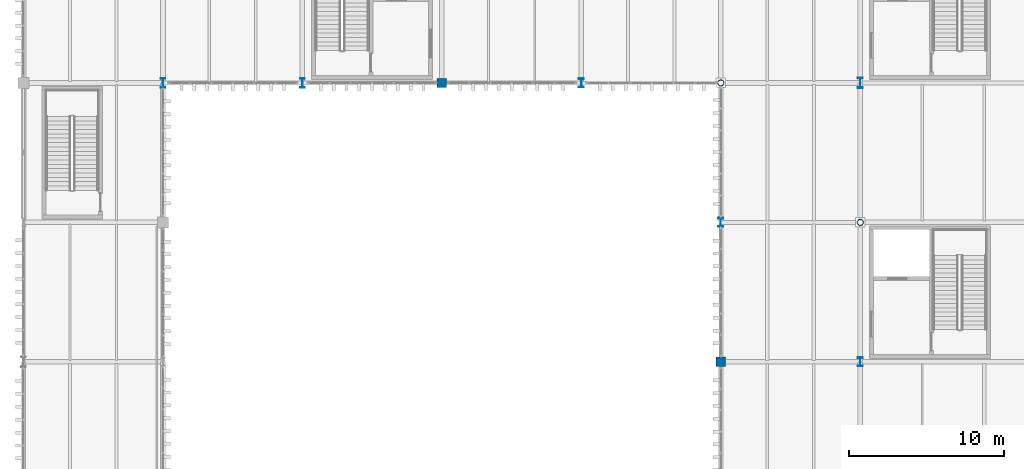
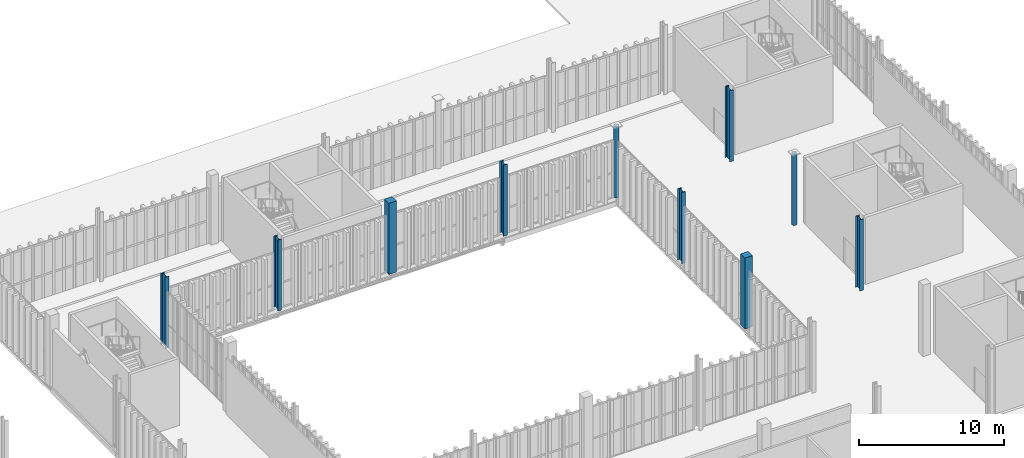
# One storey, part 19 of 237: 10 columns.
"""IFC4 building model written with IfcOpenShell, lengths in metres."""

from ifc_helpers import new_model, si_unit, direction, frame, origin, origin_2d, place, context, subcontext, project, spatial, rectangle, hollow_circle, i_section, extrude, material, material_profile, profile_set, type_object, element, save


model = new_model("IFC4")

# Units and contexts
model_context = context("Model", 3, precision=1e-05, world=origin(), true_north=direction((0.0, 1.0)))
body_context = subcontext(model_context, "Body", "Model", "MODEL_VIEW")
ifc_project = project(units=[si_unit("LENGTHUNIT", "METRE"), si_unit("AREAUNIT", "SQUARE_METRE"), si_unit("VOLUMEUNIT", "CUBIC_METRE"), si_unit("PLANEANGLEUNIT", "RADIAN"), si_unit("MASSUNIT", "GRAM", prefix="KILO")], contexts=[model_context])

# Site, building, storey
site_placement = place(None, origin())
site = spatial("IfcSite", under=ifc_project, at=site_placement, CompositionType="ELEMENT")
building_placement = place(site_placement, origin())
building = spatial("IfcBuilding", under=site, at=building_placement, Name="Barlavento Convention Centre", CompositionType="ELEMENT")
storey_placement = place(building_placement, frame((0.0, 0.0, 12.0)))
storey = spatial("IfcBuildingStorey", under=building, at=storey_placement, Name="L02", CompositionType="ELEMENT", Elevation=12.0)

# Columns
ifc_material_1 = material(Name="Steel S355", Category="steel")
ifc_material_profile_1 = material_profile(ifc_material_1, hollow_circle(Radius=0.203125, WallThickness=0.01611328125, at=origin_2d()), Name="CHS 406.4x16.0")
ifc_profile_set_1 = profile_set([ifc_material_profile_1], Name="Steel S355")
column_type_1 = type_object("IfcColumnType", Name="STR-COL-CHS406", PredefinedType="COLUMN", material=ifc_profile_set_1)
for number, where, z_axis, x_axis, name in (
    (1, (171.0, 90.0, 0.0), (0.0, 0.0, 1.0), (1.0, 0.0, 0.0), "L02 column SC14"),
    (2, (180.0, 81.0, 0.0), (0.0, 0.0, 1.0), (1.0, 0.0, 0.0), "L02 column SC14"),
):
    element("IfcColumn", number, at=place(storey_placement, frame(where, z_axis=z_axis, x_axis=x_axis)), inside=storey, type_object=column_type_1, Name=name, PredefinedType="COLUMN", context=body_context, shape_type="SweptSolid", body=[
        extrude(hollow_circle(Radius=0.203125, WallThickness=0.01611328125, at=origin_2d()), origin(), (0.0, 0.0, 1.0), 6.0),
    ])
ifc_material_profile_2 = material_profile(ifc_material_1, i_section(OverallWidth=0.300048828125, OverallDepth=0.60009765625, WebThickness=0.015380859375, FlangeThickness=0.030029296875, FilletRadius=0.027099609375, at=origin_2d()), Name="HEB 600")
ifc_profile_set_2 = profile_set([ifc_material_profile_2], Name="Steel S355")
column_type_2 = type_object("IfcColumnType", Name="STR-COL-HEB600", PredefinedType="COLUMN", material=ifc_profile_set_2)
column_1_placement = place(storey_placement, frame((144.0, 90.0, 0.0), z_axis=(0.0, 0.0, 1.0), x_axis=(1.0, 0.0, 0.0)))
element("IfcColumn", 3, at=column_1_placement, inside=storey, type_object=column_type_2, Name="L02 column SC08", PredefinedType="COLUMN", context=body_context, shape_type="SweptSolid", body=[
    extrude(i_section(OverallWidth=0.300048828125, OverallDepth=0.60009765625, WebThickness=0.015380859375, FlangeThickness=0.030029296875, FilletRadius=0.027099609375, at=origin_2d()), origin(), (0.0, 0.0, 1.0), 6.0),
])
ifc_material_profile_3 = material_profile(ifc_material_1, i_section(OverallWidth=0.305908203125, OverallDepth=0.572021484375, WebThickness=0.02099609375, FlangeThickness=0.0400390625, FilletRadius=0.027099609375, at=origin_2d()), Name="HEM 550")
ifc_profile_set_3 = profile_set([ifc_material_profile_3], Name="Steel S355")
column_type_3 = type_object("IfcColumnType", Name="STR-COL-HEM550", PredefinedType="COLUMN", material=ifc_profile_set_3)
for number, where, z_axis, x_axis, name in (
    (4, (162.0, 90.0, 0.0), (0.0, 0.0, 1.0), (1.0, 0.0, 0.0), "L02 column SC06"),
    (5, (171.0, 81.0, 0.0), (0.0, 0.0, 1.0), (1.0, 0.0, 0.0), "L02 column SC06"),
    (6, (180.0, 72.0, 0.0), (0.0, 0.0, 1.0), (1.0, 0.0, 0.0), "L02 column SC06"),
):
    element("IfcColumn", number, at=place(storey_placement, frame(where, z_axis=z_axis, x_axis=x_axis)), inside=storey, type_object=column_type_3, Name=name, PredefinedType="COLUMN", context=body_context, shape_type="SweptSolid", body=[
        extrude(i_section(OverallWidth=0.305908203125, OverallDepth=0.572021484375, WebThickness=0.02099609375, FlangeThickness=0.0400390625, FilletRadius=0.027099609375, at=origin_2d()), origin(), (0.0, 0.0, 1.0), 6.0),
    ])
ifc_material_profile_4 = material_profile(ifc_material_1, i_section(OverallWidth=0.304931640625, OverallDepth=0.6201171875, WebThickness=0.02099609375, FlangeThickness=0.0400390625, FilletRadius=0.027099609375, at=origin_2d()), Name="HEM 600")
ifc_profile_set_4 = profile_set([ifc_material_profile_4], Name="Steel S355")
column_type_4 = type_object("IfcColumnType", Name="STR-COL-HEM600", PredefinedType="COLUMN", material=ifc_profile_set_4)
column_2_placement = place(storey_placement, frame((135.0, 90.0, 0.0), z_axis=(0.0, 0.0, 1.0), x_axis=(1.0, 0.0, 0.0)))
element("IfcColumn", 7, at=column_2_placement, inside=storey, type_object=column_type_4, Name="L02 column SC05", PredefinedType="COLUMN", context=body_context, shape_type="SweptSolid", body=[
    extrude(i_section(OverallWidth=0.304931640625, OverallDepth=0.6201171875, WebThickness=0.02099609375, FlangeThickness=0.0400390625, FilletRadius=0.027099609375, at=origin_2d()), origin(), (0.0, 0.0, 1.0), 6.0),
])
ifc_material_2 = material(Name="Steel S460", Category="steel")
ifc_material_profile_5 = material_profile(ifc_material_2, i_section(OverallWidth=0.304931640625, OverallDepth=0.66796875, WebThickness=0.02099609375, FlangeThickness=0.0400390625, FilletRadius=0.027099609375, at=origin_2d()), Name="HEM 650")
ifc_profile_set_5 = profile_set([ifc_material_profile_5], Name="Steel S460")
column_type_5 = type_object("IfcColumnType", Name="STR-COL-HEM650", PredefinedType="COLUMN", material=ifc_profile_set_5)
column_3_placement = place(storey_placement, frame((180.0, 90.0, 0.0), z_axis=(0.0, 0.0, 1.0), x_axis=(1.0, 0.0, 0.0)))
element("IfcColumn", 8, at=column_3_placement, inside=storey, type_object=column_type_5, Name="L02 column SC04", PredefinedType="COLUMN", context=body_context, shape_type="SweptSolid", body=[
    extrude(i_section(OverallWidth=0.304931640625, OverallDepth=0.66796875, WebThickness=0.02099609375, FlangeThickness=0.0400390625, FilletRadius=0.027099609375, at=origin_2d()), origin(), (0.0, 0.0, 1.0), 6.0),
])
ifc_material_3 = material(Name="Concrete C40/50", Category="concrete")
ifc_material_profile_6 = material_profile(ifc_material_3, rectangle(XDim=0.60009765625, YDim=0.60009765625, at=origin_2d()), Name="RC 600x600")
ifc_profile_set_6 = profile_set([ifc_material_profile_6], Name="Concrete C40/50")
column_type_6 = type_object("IfcColumnType", Name="STR-COL-RC600", PredefinedType="COLUMN", material=ifc_profile_set_6)
for number, where, z_axis, x_axis, name in (
    (9, (153.0, 90.0, 0.0), (0.0, 0.0, 1.0), (1.0, 0.0, 0.0), "L02 column CC07"),
    (10, (171.0, 72.0, 0.0), (0.0, 0.0, 1.0), (1.0, 0.0, 0.0), "L02 column CC07"),
):
    element("IfcColumn", number, at=place(storey_placement, frame(where, z_axis=z_axis, x_axis=x_axis)), inside=storey, type_object=column_type_6, Name=name, PredefinedType="COLUMN", context=body_context, shape_type="SweptSolid", body=[
        extrude(rectangle(XDim=0.60009765625, YDim=0.60009765625, at=origin_2d()), origin(), (0.0, 0.0, 1.0), 6.0),
    ])

save(model, "model.ifc")
